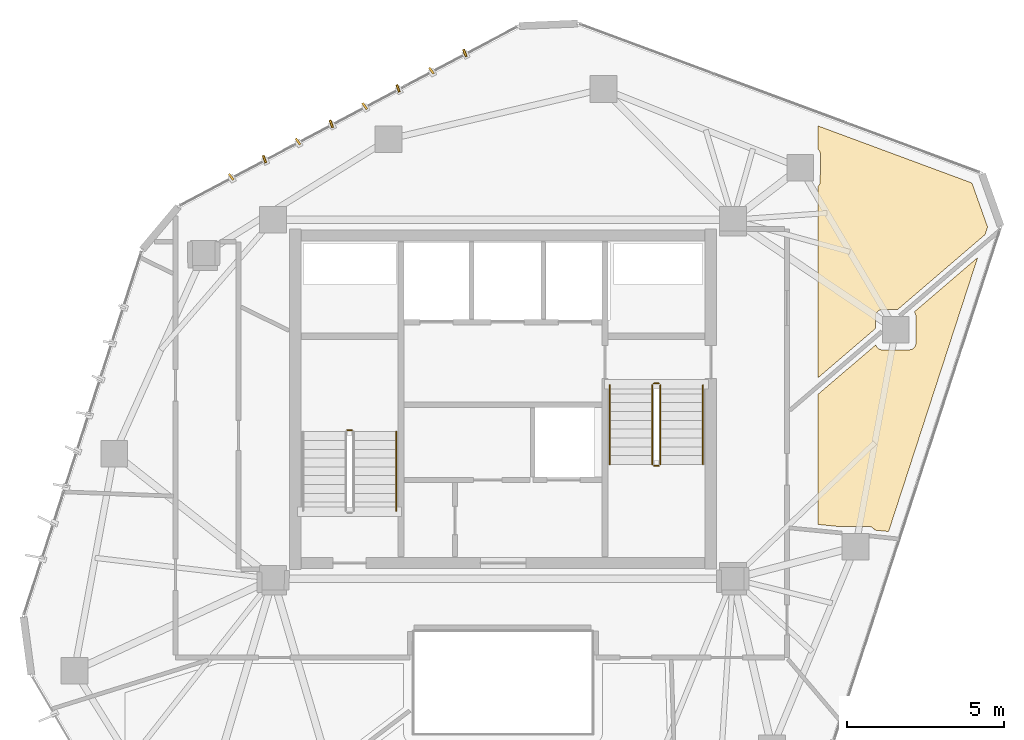
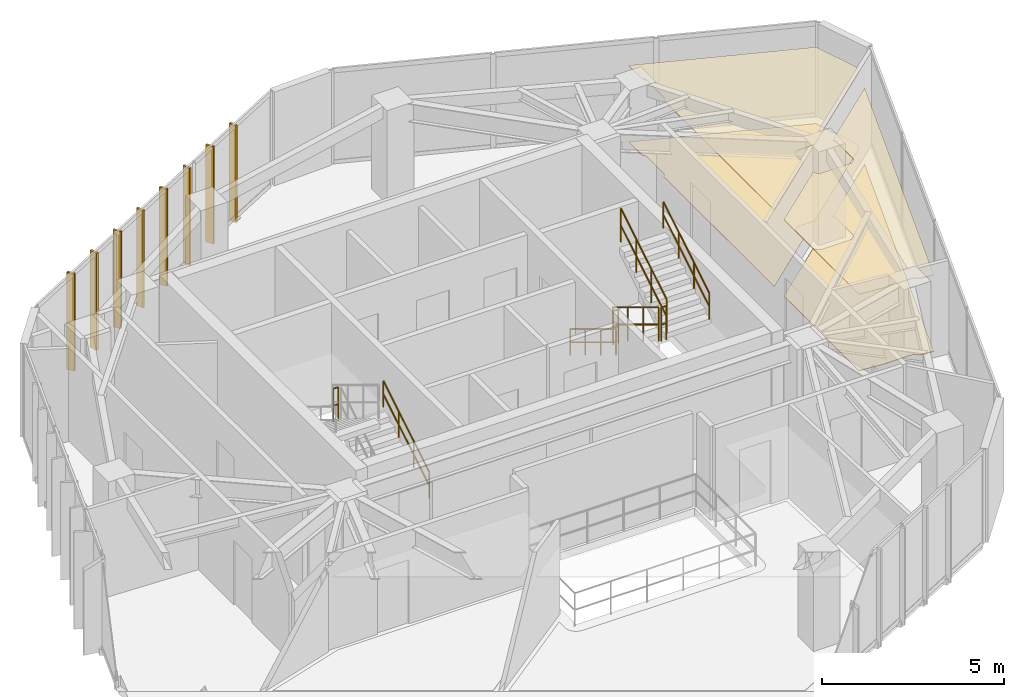
# One storey, part 20 of 20: 8 railings, 8 shading devices, 4 coverings.
"""IFC4 building model written with IfcOpenShell, lengths in metres."""

from ifc_helpers import new_model, si_unit, direction, frame, origin, origin_2d, place, context, subcontext, project, spatial, polyline, rectangle, circle, outline, extrude, source, transform, mapped, material, layer, layer_set, type_object, type_shapes, element, save


model = new_model("IFC4")

# Units and contexts
model_context = context("Model", 3, precision=1e-05, world=origin(), true_north=direction((0.0, 1.0)))
body_context = subcontext(model_context, "Body", "Model", "MODEL_VIEW")
ifc_project = project(units=[si_unit("LENGTHUNIT", "METRE"), si_unit("AREAUNIT", "SQUARE_METRE"), si_unit("VOLUMEUNIT", "CUBIC_METRE"), si_unit("PLANEANGLEUNIT", "RADIAN"), si_unit("MASSUNIT", "GRAM", prefix="KILO")], contexts=[model_context])

# Site, building, storey
site_placement = place(None, origin())
site = spatial("IfcSite", under=ifc_project, at=site_placement, CompositionType="ELEMENT")
building_placement = place(site_placement, origin())
building = spatial("IfcBuilding", under=site, at=building_placement, Name="Talar Marvaseh", CompositionType="ELEMENT")
storey_placement = place(building_placement, frame((0.0, 0.0, 261.199951171875)))
storey = spatial("IfcBuildingStorey", under=building, at=storey_placement, Name="L69", CompositionType="ELEMENT", Elevation=261.199951171875)

# Railings
ifc_material_1 = material(Name="Stainless Steel Grade 316", Category="steel")
railing_type_1 = type_object("IfcRailingType", Name="Brushed Stainless Wall Pitch Handrail 900", PredefinedType="HANDRAIL", material=ifc_material_1)
railing_1_placement = place(storey_placement, frame((22.610107421875, 27.64990234375, 0.170166015625)))
element("IfcRailing", 1, at=railing_1_placement, inside=storey, type_object=railing_type_1, Name="L69 ST-1 stair handrail 1", PredefinedType="HANDRAIL", context=body_context, shape_type="SweptSolid", body=[
    extrude(circle(Radius=0.02392578125, at=origin_2d()), frame((0.0, 0.0, 0.8759765625), z_axis=(0.0, 0.854821627497, 0.518921945155), x_axis=(-1.0, 0.0, 0.0)), (0.0, 0.0, 1.0), 2.947998046875),
    extrude(circle(Radius=0.02392578125, at=origin_2d()), frame((0.0, 0.0, 0.42578125), z_axis=(0.0, 0.854821627497, 0.518921945155), x_axis=(-1.0, 0.0, 0.0)), (0.0, 0.0, 1.0), 2.947998046875),
    extrude(circle(Radius=0.02099609375, at=origin_2d()), origin(), (0.0, 0.0, 1.0), 0.851806640625),
    extrude(circle(Radius=0.02099609375, at=origin_2d()), frame((0.0, 0.840087890625, 0.510009765625)), (0.0, 0.0, 1.0), 0.851806640625),
    extrude(circle(Radius=0.02099609375, at=origin_2d()), frame((0.0, 1.679931640625, 1.019775390625)), (0.0, 0.0, 1.0), 0.851806640625),
    extrude(circle(Radius=0.02099609375, at=origin_2d()), frame((0.0, 2.52001953125, 1.52978515625)), (0.0, 0.0, 1.0), 0.851806640625),
])
railing_2_placement = place(storey_placement, frame((29.389892578125, 31.64990234375, 0.170166015625)))
element("IfcRailing", 2, at=railing_2_placement, inside=storey, type_object=railing_type_1, Name="L69 ST-2 stair handrail 1", PredefinedType="HANDRAIL", context=body_context, shape_type="SweptSolid", body=[
    extrude(circle(Radius=0.02392578125, at=origin_2d()), frame((0.0, 0.0, 0.8759765625), z_axis=(0.0, -0.854821627497, 0.518921945155), x_axis=(1.0, 0.0, 0.0)), (0.0, 0.0, 1.0), 2.947998046875),
    extrude(circle(Radius=0.02392578125, at=origin_2d()), frame((0.0, 0.0, 0.42578125), z_axis=(0.0, -0.854821627497, 0.518921945155), x_axis=(1.0, 0.0, 0.0)), (0.0, 0.0, 1.0), 2.947998046875),
    extrude(circle(Radius=0.02099609375, at=origin_2d()), origin(), (0.0, 0.0, 1.0), 0.851806640625),
    extrude(circle(Radius=0.02099609375, at=origin_2d()), frame((0.0, -0.840087890625, 0.510009765625)), (0.0, 0.0, 1.0), 0.851806640625),
    extrude(circle(Radius=0.02099609375, at=origin_2d()), frame((0.0, -1.679931640625, 1.019775390625)), (0.0, 0.0, 1.0), 0.851806640625),
    extrude(circle(Radius=0.02099609375, at=origin_2d()), frame((0.0, -2.52001953125, 1.52978515625)), (0.0, 0.0, 1.0), 0.851806640625),
])
railing_3_placement = place(storey_placement, frame((32.35009765625, 29.1298828125, 1.8701171875)))
element("IfcRailing", 3, at=railing_3_placement, inside=storey, type_object=railing_type_1, Name="L69 ST-2 stair handrail 2", PredefinedType="HANDRAIL", context=body_context, shape_type="SweptSolid", body=[
    extrude(circle(Radius=0.02392578125, at=origin_2d()), frame((0.0, 0.0, 0.8759765625), z_axis=(0.0, 0.85478489116, 0.518982456201), x_axis=(-1.0, 0.0, 0.0)), (0.0, 0.0, 1.0), 2.9482421875),
    extrude(circle(Radius=0.02392578125, at=origin_2d()), frame((0.0, 0.0, 0.42578125), z_axis=(0.0, 0.85478489116, 0.518982456201), x_axis=(-1.0, 0.0, 0.0)), (0.0, 0.0, 1.0), 2.9482421875),
    extrude(circle(Radius=0.02099609375, at=origin_2d()), origin(), (0.0, 0.0, 1.0), 0.851806640625),
    extrude(circle(Radius=0.02099609375, at=origin_2d()), frame((0.0, 0.840087890625, 0.510009765625)), (0.0, 0.0, 1.0), 0.851806640625),
    extrude(circle(Radius=0.02099609375, at=origin_2d()), frame((0.0, 1.679931640625, 1.02001953125)), (0.0, 0.0, 1.0), 0.851806640625),
    extrude(circle(Radius=0.02099609375, at=origin_2d()), frame((0.0, 2.52001953125, 1.530029296875)), (0.0, 0.0, 1.0), 0.851806640625),
])
railing_type_2 = type_object("IfcRailingType", Name="Painted Steel Core Stair Well Guardrail 1150", PredefinedType="GUARDRAIL", material=ifc_material_1)
railing_4_placement = place(storey_placement, frame((21.2099609375, 30.219970703125, 1.699951171875)))
element("IfcRailing", 4, at=railing_4_placement, inside=storey, type_object=railing_type_2, Name="L69 ST-1 stair guard 2", PredefinedType="GUARDRAIL", context=body_context, shape_type="SweptSolid", body=[
    extrude(circle(Radius=0.02392578125, at=origin_2d()), frame((0.0, 0.0, 1.1259765625), z_axis=(-1.0, 0.0, 0.0), x_axis=(0.0, -1.0, 0.0)), (0.0, 0.0, 1.0), 0.159912109375),
    extrude(circle(Radius=0.02392578125, at=origin_2d()), frame((0.0, 0.0, 0.55078125), z_axis=(-1.0, 0.0, 0.0), x_axis=(0.0, -1.0, 0.0)), (0.0, 0.0, 1.0), 0.159912109375),
    extrude(circle(Radius=0.02099609375, at=origin_2d()), origin(), (0.0, 0.0, 1.0), 1.101806640625),
    extrude(circle(Radius=0.02099609375, at=origin_2d()), frame((-0.159912109375, 0.0, 0.0)), (0.0, 0.0, 1.0), 1.101806640625),
])
railing_5_placement = place(storey_placement, frame((30.739990234375, 31.64990234375, 0.170166015625)))
element("IfcRailing", 5, at=railing_5_placement, inside=storey, type_object=railing_type_2, Name="L69 ST-2 stair guard 1", PredefinedType="GUARDRAIL", context=body_context, shape_type="SweptSolid", body=[
    extrude(circle(Radius=0.02392578125, at=origin_2d()), frame((0.0, 0.0, 1.1259765625), z_axis=(0.0, -0.854821627497, 0.518921945155), x_axis=(1.0, 0.0, 0.0)), (0.0, 0.0, 1.0), 2.947998046875),
    extrude(circle(Radius=0.02392578125, at=origin_2d()), frame((0.0, 0.0, 0.55078125), z_axis=(0.0, -0.854821627497, 0.518921945155), x_axis=(1.0, 0.0, 0.0)), (0.0, 0.0, 1.0), 2.947998046875),
    extrude(circle(Radius=0.02099609375, at=origin_2d()), origin(), (0.0, 0.0, 1.0), 1.101806640625),
    extrude(circle(Radius=0.02099609375, at=origin_2d()), frame((0.0, -0.840087890625, 0.510009765625)), (0.0, 0.0, 1.0), 1.101806640625),
    extrude(circle(Radius=0.02099609375, at=origin_2d()), frame((0.0, -1.679931640625, 1.019775390625)), (0.0, 0.0, 1.0), 1.101806640625),
    extrude(circle(Radius=0.02099609375, at=origin_2d()), frame((0.0, -2.52001953125, 1.52978515625)), (0.0, 0.0, 1.0), 1.101806640625),
])
railing_6_placement = place(storey_placement, frame((30.7900390625, 29.080078125, 1.699951171875)))
element("IfcRailing", 6, at=railing_6_placement, inside=storey, type_object=railing_type_2, Name="L69 ST-2 stair guard 2", PredefinedType="GUARDRAIL", context=body_context, shape_type="SweptSolid", body=[
    extrude(circle(Radius=0.02392578125, at=origin_2d()), frame((0.0, 0.0, 1.1259765625), z_axis=(1.0, 0.0, 0.0), x_axis=(0.0, 1.0, 0.0)), (0.0, 0.0, 1.0), 0.159912109375),
    extrude(circle(Radius=0.02392578125, at=origin_2d()), frame((0.0, 0.0, 0.55078125), z_axis=(1.0, 0.0, 0.0), x_axis=(0.0, 1.0, 0.0)), (0.0, 0.0, 1.0), 0.159912109375),
    extrude(circle(Radius=0.02099609375, at=origin_2d()), origin(), (0.0, 0.0, 1.0), 1.101806640625),
    extrude(circle(Radius=0.02099609375, at=origin_2d()), frame((0.159912109375, 0.0, 0.0)), (0.0, 0.0, 1.0), 1.101806640625),
])
railing_7_placement = place(storey_placement, frame((31.0, 29.1298828125, 1.8701171875)))
element("IfcRailing", 7, at=railing_7_placement, inside=storey, type_object=railing_type_2, Name="L69 ST-2 stair guard 3", PredefinedType="GUARDRAIL", context=body_context, shape_type="SweptSolid", body=[
    extrude(circle(Radius=0.02392578125, at=origin_2d()), frame((0.0, 0.0, 1.1259765625), z_axis=(0.0, 0.85478489116, 0.518982456201), x_axis=(-1.0, 0.0, 0.0)), (0.0, 0.0, 1.0), 2.9482421875),
    extrude(circle(Radius=0.02392578125, at=origin_2d()), frame((0.0, 0.0, 0.55078125), z_axis=(0.0, 0.85478489116, 0.518982456201), x_axis=(-1.0, 0.0, 0.0)), (0.0, 0.0, 1.0), 2.9482421875),
    extrude(circle(Radius=0.02099609375, at=origin_2d()), origin(), (0.0, 0.0, 1.0), 1.101806640625),
    extrude(circle(Radius=0.02099609375, at=origin_2d()), frame((0.0, 0.840087890625, 0.510009765625)), (0.0, 0.0, 1.0), 1.101806640625),
    extrude(circle(Radius=0.02099609375, at=origin_2d()), frame((0.0, 1.679931640625, 1.02001953125)), (0.0, 0.0, 1.0), 1.101806640625),
    extrude(circle(Radius=0.02099609375, at=origin_2d()), frame((0.0, 2.52001953125, 1.530029296875)), (0.0, 0.0, 1.0), 1.101806640625),
])
railing_8_placement = place(storey_placement, frame((30.7900390625, 31.699951171875, 0.0)))
element("IfcRailing", 8, at=railing_8_placement, inside=storey, type_object=railing_type_2, Name="L69 ST-2 stair guard 4", PredefinedType="GUARDRAIL", context=body_context, shape_type="SweptSolid", body=[
    extrude(circle(Radius=0.02392578125, at=origin_2d()), frame((0.0, 0.0, 1.1259765625), z_axis=(1.0, 0.0, 0.0), x_axis=(0.0, 1.0, 0.0)), (0.0, 0.0, 1.0), 0.159912109375),
    extrude(circle(Radius=0.02392578125, at=origin_2d()), frame((0.0, 0.0, 0.55078125), z_axis=(1.0, 0.0, 0.0), x_axis=(0.0, 1.0, 0.0)), (0.0, 0.0, 1.0), 0.159912109375),
    extrude(circle(Radius=0.02099609375, at=origin_2d()), origin(), (0.0, 0.0, 1.0), 1.101806640625),
    extrude(circle(Radius=0.02099609375, at=origin_2d()), frame((0.159912109375, 0.0, 0.0)), (0.0, 0.0, 1.0), 1.101806640625),
])

# Coverings
ifc_material_2 = material(Name="Mineral Fibre Acoustic Ceiling")
ifc_layer_1 = layer(ifc_material_2, 0.02490234375)
ifc_layer_set_1 = layer_set([ifc_layer_1], Name="Mineral Fibre Acoustic Ceiling")
covering_type_1 = type_object("IfcCoveringType", Name="Perforated Mineral Fibre Acoustic Suspended Ceiling", PredefinedType="CEILING", material=ifc_layer_set_1)
covering_1_placement = place(storey_placement, frame((0.0, 0.0, 2.56005859375)))
element("IfcCovering", 9, at=covering_1_placement, inside=storey, type_object=covering_type_1, Name="L69 Archival Facsimile Boutique Acoustic Ceiling", PredefinedType="CEILING", context=body_context, shape_type="SweptSolid", body=[
    extrude(outline(polyline([(36.0, 31.350341796875), (37.8388671875, 32.92626953125), (37.839599609375, 32.9228515625), (37.84619140625, 32.904296875), (37.854736328125, 32.88671875), (37.86474609375, 32.869873046875), (37.8740234375, 32.85595703125), (37.8857421875, 32.840087890625), (37.89892578125, 32.825439453125), (37.91357421875, 32.812255859375), (37.929443359375, 32.800537109375), (37.9462890625, 32.79052734375), (37.964111328125, 32.7822265625), (37.982666015625, 32.775634765625), (38.001708984375, 32.77099609375), (38.021240234375, 32.76806640625), (38.040771484375, 32.76708984375), (38.906005859375, 32.769287109375), (38.926513671875, 32.7705078125), (38.94677734375, 32.773681640625), (38.96630859375, 32.77880859375), (38.985595703125, 32.7861328125), (39.00390625, 32.79541015625), (39.02099609375, 32.80615234375), (39.037109375, 32.81884765625), (39.052001953125, 32.8330078125), (39.06494140625, 32.848876953125), (39.076416015625, 32.86572265625), (39.086181640625, 32.8837890625), (39.091796875, 32.895263671875), (39.0986328125, 32.91162109375), (39.10400390625, 32.928466796875), (39.10791015625, 32.94580078125), (39.110107421875, 32.96337890625), (39.111083984375, 32.981201171875), (39.1103515625, 33.83544921875), (39.109619140625, 33.854248046875), (39.10693359375, 33.872802734375), (39.1025390625, 33.890869140625), (39.096435546875, 33.90869140625), (39.0888671875, 33.92578125), (39.07958984375, 33.94189453125), (39.06884765625, 33.957275390625), (39.0576171875, 33.970703125), (41.07275390625, 35.69775390625), (38.244873046875, 26.999267578125), (37.80859375, 27.042724609375), (37.80322265625, 27.0517578125), (37.79150390625, 27.0673828125), (37.7783203125, 27.081787109375), (37.764892578125, 27.09521484375), (37.75048828125, 27.1083984375), (37.734619140625, 27.1201171875), (37.7177734375, 27.13037109375), (37.699951171875, 27.138671875), (37.681640625, 27.145263671875), (37.66259765625, 27.150146484375), (37.64306640625, 27.15283203125), (37.62353515625, 27.15380859375), (36.77197265625, 27.154052734375), (36.750732421875, 27.15283203125), (36.732421875, 27.14990234375), (36.0, 27.222900390625), (36.0, 31.350341796875)])), origin(), (0.0, 0.0, 1.0), 0.02490234375),
])
covering_2_placement = place(storey_placement, frame((0.0, 0.0, 2.56005859375)))
element("IfcCovering", 10, at=covering_2_placement, inside=storey, type_object=covering_type_1, Name="L69 Gallery Security Control Room Acoustic Ceiling", PredefinedType="CEILING", context=body_context, shape_type="SweptSolid", body=[
    extrude(outline(polyline([(41.387939453125, 36.66796875), (41.31005859375, 36.427978515625), (38.530029296875, 34.045654296875), (38.035400390625, 34.04248046875), (38.014892578125, 34.04150390625), (37.994873046875, 34.0380859375), (37.97509765625, 34.032958984375), (37.9560546875, 34.025634765625), (37.937744140625, 34.0166015625), (37.920654296875, 34.005615234375), (37.904541015625, 33.992919921875), (37.889892578125, 33.978759765625), (37.876953125, 33.963134765625), (37.865478515625, 33.9462890625), (37.855712890625, 33.92822265625), (37.850341796875, 33.916748046875), (37.843505859375, 33.900390625), (37.837890625, 33.883544921875), (37.833984375, 33.8662109375), (37.831787109375, 33.8486328125), (37.8310546875, 33.8310546875), (37.8310546875, 33.4462890625), (36.0, 31.877197265625), (36.0, 37.96044921875), (36.0, 37.96044921875), (36.0146484375, 37.9736328125), (36.02783203125, 37.988037109375), (36.03955078125, 38.00390625), (36.0498046875, 38.0205078125), (36.05810546875, 38.0380859375), (36.064697265625, 38.056640625), (36.069580078125, 38.075439453125), (36.072509765625, 38.094970703125), (36.073486328125, 38.114501953125), (36.077880859375, 38.9765625), (36.0771484375, 38.9951171875), (36.07470703125, 39.013671875), (36.0703125, 39.03173828125), (36.064453125, 39.049560546875), (36.056884765625, 39.066650390625), (36.0478515625, 39.0830078125), (36.037353515625, 39.09814453125), (36.025390625, 39.112548828125), (36.01220703125, 39.125732421875), (36.0, 39.13671875), (36.0, 39.87939453125), (40.89111328125, 38.065673828125), (41.387939453125, 36.66796875)])), origin(), (0.0, 0.0, 1.0), 0.02490234375),
])
ifc_material_3 = material(Name="Porcelain Stoneware Tile", Category="masonry")
ifc_layer_2 = layer(ifc_material_3, 0.02001953125)
ifc_layer_set_2 = layer_set([ifc_layer_2], Name="Porcelain Stoneware Tile")
covering_type_2 = type_object("IfcCoveringType", Name="Polished Porcelain Stoneware Gallery Flooring", PredefinedType="FLOORING", material=ifc_layer_set_2)
covering_3_placement = place(storey_placement, origin())
element("IfcCovering", 11, at=covering_3_placement, inside=storey, type_object=covering_type_2, Name="L69 Archival Facsimile Boutique Flooring", PredefinedType="FLOORING", context=body_context, shape_type="SweptSolid", body=[
    extrude(outline(polyline([(36.0, 31.350341796875), (37.8388671875, 32.92626953125), (37.839599609375, 32.9228515625), (37.84619140625, 32.904296875), (37.854736328125, 32.88671875), (37.86474609375, 32.869873046875), (37.8740234375, 32.85595703125), (37.8857421875, 32.840087890625), (37.89892578125, 32.825439453125), (37.91357421875, 32.812255859375), (37.929443359375, 32.800537109375), (37.9462890625, 32.79052734375), (37.964111328125, 32.7822265625), (37.982666015625, 32.775634765625), (38.001708984375, 32.77099609375), (38.021240234375, 32.76806640625), (38.040771484375, 32.76708984375), (38.906005859375, 32.769287109375), (38.926513671875, 32.7705078125), (38.94677734375, 32.773681640625), (38.96630859375, 32.77880859375), (38.985595703125, 32.7861328125), (39.00390625, 32.79541015625), (39.02099609375, 32.80615234375), (39.037109375, 32.81884765625), (39.052001953125, 32.8330078125), (39.06494140625, 32.848876953125), (39.076416015625, 32.86572265625), (39.086181640625, 32.8837890625), (39.091796875, 32.895263671875), (39.0986328125, 32.91162109375), (39.10400390625, 32.928466796875), (39.10791015625, 32.94580078125), (39.110107421875, 32.96337890625), (39.111083984375, 32.981201171875), (39.1103515625, 33.83544921875), (39.109619140625, 33.854248046875), (39.10693359375, 33.872802734375), (39.1025390625, 33.890869140625), (39.096435546875, 33.90869140625), (39.0888671875, 33.92578125), (39.07958984375, 33.94189453125), (39.06884765625, 33.957275390625), (39.0576171875, 33.970703125), (41.07275390625, 35.69775390625), (38.244873046875, 26.999267578125), (37.80859375, 27.042724609375), (37.80322265625, 27.0517578125), (37.79150390625, 27.0673828125), (37.7783203125, 27.081787109375), (37.764892578125, 27.09521484375), (37.75048828125, 27.1083984375), (37.734619140625, 27.1201171875), (37.7177734375, 27.13037109375), (37.699951171875, 27.138671875), (37.681640625, 27.145263671875), (37.66259765625, 27.150146484375), (37.64306640625, 27.15283203125), (37.62353515625, 27.15380859375), (36.77197265625, 27.154052734375), (36.750732421875, 27.15283203125), (36.732421875, 27.14990234375), (36.0, 27.222900390625), (36.0, 31.350341796875)])), origin(), (0.0, 0.0, 1.0), 0.02001953125),
])
covering_4_placement = place(storey_placement, origin())
element("IfcCovering", 12, at=covering_4_placement, inside=storey, type_object=covering_type_2, Name="L69 Gallery Security Control Room Flooring", PredefinedType="FLOORING", context=body_context, shape_type="SweptSolid", body=[
    extrude(outline(polyline([(41.387939453125, 36.66796875), (41.31005859375, 36.427978515625), (38.530029296875, 34.045654296875), (38.035400390625, 34.04248046875), (38.014892578125, 34.04150390625), (37.994873046875, 34.0380859375), (37.97509765625, 34.032958984375), (37.9560546875, 34.025634765625), (37.937744140625, 34.0166015625), (37.920654296875, 34.005615234375), (37.904541015625, 33.992919921875), (37.889892578125, 33.978759765625), (37.876953125, 33.963134765625), (37.865478515625, 33.9462890625), (37.855712890625, 33.92822265625), (37.850341796875, 33.916748046875), (37.843505859375, 33.900390625), (37.837890625, 33.883544921875), (37.833984375, 33.8662109375), (37.831787109375, 33.8486328125), (37.8310546875, 33.8310546875), (37.8310546875, 33.4462890625), (36.0, 31.877197265625), (36.0, 37.96044921875), (36.0, 37.96044921875), (36.0146484375, 37.9736328125), (36.02783203125, 37.988037109375), (36.03955078125, 38.00390625), (36.0498046875, 38.0205078125), (36.05810546875, 38.0380859375), (36.064697265625, 38.056640625), (36.069580078125, 38.075439453125), (36.072509765625, 38.094970703125), (36.073486328125, 38.114501953125), (36.077880859375, 38.9765625), (36.0771484375, 38.9951171875), (36.07470703125, 39.013671875), (36.0703125, 39.03173828125), (36.064453125, 39.049560546875), (36.056884765625, 39.066650390625), (36.0478515625, 39.0830078125), (36.037353515625, 39.09814453125), (36.025390625, 39.112548828125), (36.01220703125, 39.125732421875), (36.0, 39.13671875), (36.0, 39.87939453125), (40.89111328125, 38.065673828125), (41.387939453125, 36.66796875)])), origin(), (0.0, 0.0, 1.0), 0.02001953125),
])

# Shading devices
ifc_material_4 = material(Name="Anodised Champagne Bronze Aluminium", Category="aluminium")
ifc_layer_3 = layer(ifc_material_4, 0.06494140625)
ifc_layer_set_3 = layer_set([ifc_layer_3], Name="Anodised Champagne Bronze Aluminium")
shading_device_type = type_object("IfcShadingDeviceType", Name="Sawtooth Champagne Bronze Vertical Fin 240", PredefinedType="USERDEFINED", material=ifc_layer_set_3)
shared_shape = source(origin(), body_context, "Body", "SweptSolid", [
    extrude(rectangle(XDim=0.239990234375, YDim=0.06494140625, at=origin_2d()), origin(), (0.0, 0.0, 1.0), 3.260009765625),
])
type_shapes(shading_device_type, [shared_shape])
for number, where, z_axis, x_axis, name in (
    (13, (17.3671875, 38.259521484375, -0.1201171875), (0.0, 0.0, 1.0), (-0.586796413149, 0.809734505573, 0.0), "L69 Sawtooth Vertical Solar Fin"),
    (14, (18.427490234375, 38.82177734375, -0.1201171875), (0.0, 0.0, 1.0), (-0.340871837244, 0.94010977581, 0.0), "L69 Sawtooth Vertical Solar Fin"),
    (15, (19.48779296875, 39.3837890625, -0.1201171875), (0.0, 0.0, 1.0), (-0.586796413149, 0.809734505573, 0.0), "L69 Sawtooth Vertical Solar Fin"),
    (16, (20.5478515625, 39.94580078125, -0.1201171875), (0.0, 0.0, 1.0), (-0.340871837244, 0.94010977581, 0.0), "L69 Sawtooth Vertical Solar Fin"),
    (17, (21.608154296875, 40.508056640625, -0.1201171875), (0.0, 0.0, 1.0), (-0.586796413149, 0.809734505573, 0.0), "L69 Sawtooth Vertical Solar Fin"),
    (18, (22.668212890625, 41.070068359375, -0.1201171875), (0.0, 0.0, 1.0), (-0.340871837244, 0.94010977581, 0.0), "L69 Sawtooth Vertical Solar Fin"),
    (19, (23.728515625, 41.632080078125, -0.1201171875), (0.0, 0.0, 1.0), (-0.586796413149, 0.809734505573, 0.0), "L69 Sawtooth Vertical Solar Fin"),
    (20, (24.788818359375, 42.1943359375, -0.1201171875), (0.0, 0.0, 1.0), (-0.340871837244, 0.94010977581, 0.0), "L69 Sawtooth Vertical Solar Fin"),
):
    element("IfcShadingDevice", number, at=place(storey_placement, frame(where, z_axis=z_axis, x_axis=x_axis)), inside=storey, type_object=shading_device_type, Name=name, ObjectType="FIN", PredefinedType="USERDEFINED", context=body_context, shape_type="MappedRepresentation", body=[
        mapped(shared_shape, transform((0.0, 0.0, 0.0), x_axis=(1.0, 0.0, 0.0), y_axis=(0.0, 1.0, 0.0), z_axis=(0.0, 0.0, 1.0), scale=1.0)),
    ])

save(model, "model.ifc")
